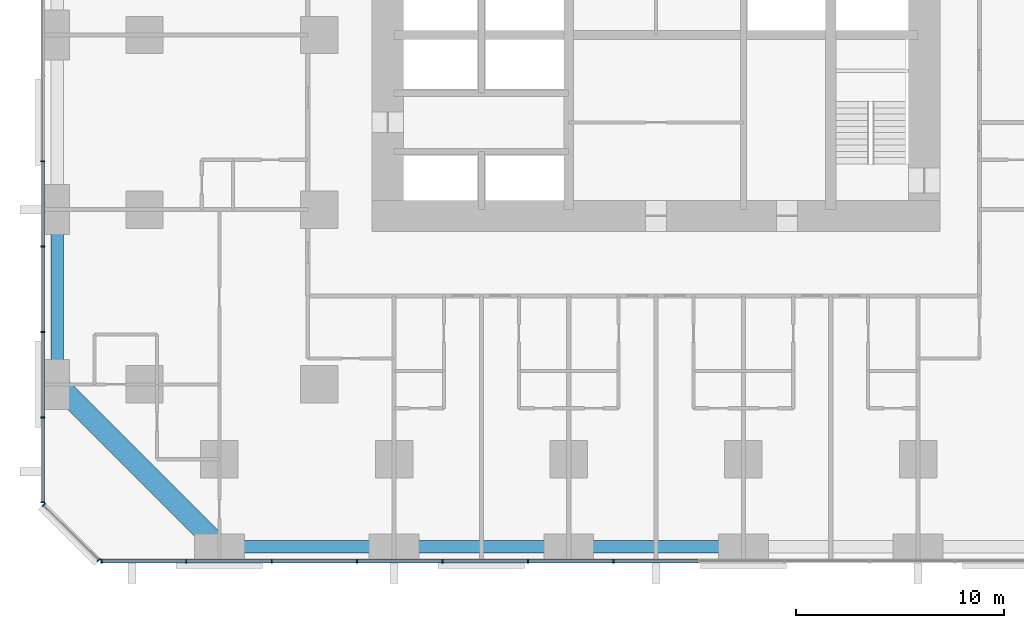
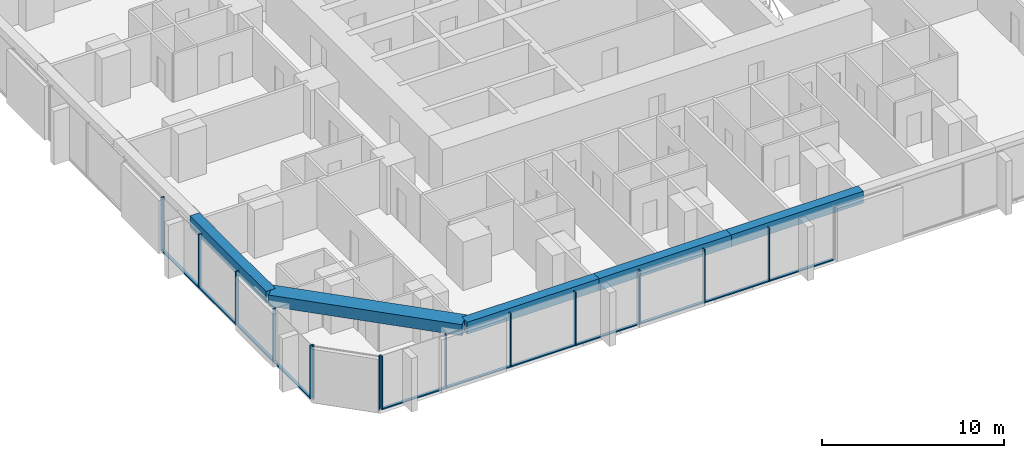
# One storey, part 2 of 17: 25 members, 5 beams, 3 elements without a shape of their own.
"""IFC4 building model written with IfcOpenShell, lengths in metres."""

from ifc_helpers import new_model, si_unit, direction, frame, origin, origin_2d, place, context, subcontext, project, spatial, rectangle, extrude, material, material_profile, profile_set, type_object, element, aggregate, save


model = new_model("IFC4")

# Units and contexts
model_context = context("Model", 3, precision=1e-05, world=origin(), true_north=direction((0.0, 1.0)))
body_context = subcontext(model_context, "Body", "Model", "MODEL_VIEW")
ifc_project = project(units=[si_unit("LENGTHUNIT", "METRE"), si_unit("AREAUNIT", "SQUARE_METRE"), si_unit("VOLUMEUNIT", "CUBIC_METRE"), si_unit("PLANEANGLEUNIT", "RADIAN"), si_unit("MASSUNIT", "GRAM", prefix="KILO")], contexts=[model_context])

# Site, building, storey
site_placement = place(None, origin())
site = spatial("IfcSite", under=ifc_project, at=site_placement, CompositionType="ELEMENT")
building_placement = place(site_placement, origin())
building = spatial("IfcBuilding", under=site, at=building_placement, Name="Dunama Terrace Hotel", CompositionType="ELEMENT")
storey_placement = place(building_placement, frame((0.0, 0.0, 77.39990234375)))
storey = spatial("IfcBuildingStorey", under=building, at=storey_placement, Name="L19", CompositionType="ELEMENT", Elevation=77.39990234375)

# Curtain wall, members
ifc_material_1 = material(Name="Aluminium curtain wall system", Category="aluminium")
curtain_wall_type = type_object("IfcCurtainWallType", Name="Unitised fritted glass wall CW-A", PredefinedType="NOTDEFINED", material=ifc_material_1)
curtain_wall_1_placement = place(storey_placement, origin())
curtain_wall_1 = element("IfcCurtainWall", 1, at=curtain_wall_1_placement, inside=storey, type_object=curtain_wall_type, Name="Unitised fritted glass wall CW-A L19", PredefinedType="NOTDEFINED")
ifc_material_2 = material(Name="Aluminium mullion", Category="aluminium")
ifc_material_profile_1 = material_profile(ifc_material_2, rectangle(XDim=0.06494140625, YDim=0.199951171875, at=origin_2d()), Name="CWA MULLION 65X200")
ifc_profile_set_1 = profile_set([ifc_material_profile_1], Name="Aluminium mullion")
member_type_1 = type_object("IfcMemberType", Name="CWA mullion 65x200", PredefinedType="MULLION", material=ifc_profile_set_1)
member_1_placement = place(storey_placement, frame((2.73291015625, -0.10009765625, 0.0), z_axis=(0.0, 0.0, 1.0), x_axis=(1.0, 0.0, 0.0)))
member_1 = element("IfcMember", 2, at=member_1_placement, type_object=member_type_1, Name="CWA mullion", PredefinedType="MULLION", context=body_context, shape_type="SweptSolid", body=[
    extrude(rectangle(XDim=0.06494140625, YDim=0.199951171875, at=origin_2d()), origin(), (0.0, 0.0, 1.0), 3.60009765625),
])
member_2_placement = place(storey_placement, frame((6.80810546875, -0.10009765625, 0.0), z_axis=(0.0, 0.0, 1.0), x_axis=(1.0, 0.0, 0.0)))
member_2 = element("IfcMember", 3, at=member_2_placement, type_object=member_type_1, Name="CWA mullion", PredefinedType="MULLION", context=body_context, shape_type="SweptSolid", body=[
    extrude(rectangle(XDim=0.06494140625, YDim=0.199951171875, at=origin_2d()), origin(), (0.0, 0.0, 1.0), 3.60009765625),
])
member_3_placement = place(storey_placement, frame((10.9150390625, -0.10009765625, 0.0), z_axis=(0.0, 0.0, 1.0), x_axis=(1.0, 0.0, 0.0)))
member_3 = element("IfcMember", 4, at=member_3_placement, type_object=member_type_1, Name="CWA mullion", PredefinedType="MULLION", context=body_context, shape_type="SweptSolid", body=[
    extrude(rectangle(XDim=0.06494140625, YDim=0.199951171875, at=origin_2d()), origin(), (0.0, 0.0, 1.0), 3.60009765625),
])
member_4_placement = place(storey_placement, frame((15.02294921875, -0.10009765625, 0.0), z_axis=(0.0, 0.0, 1.0), x_axis=(1.0, 0.0, 0.0)))
member_4 = element("IfcMember", 5, at=member_4_placement, type_object=member_type_1, Name="CWA mullion", PredefinedType="MULLION", context=body_context, shape_type="SweptSolid", body=[
    extrude(rectangle(XDim=0.06494140625, YDim=0.199951171875, at=origin_2d()), origin(), (0.0, 0.0, 1.0), 3.60009765625),
])
member_5_placement = place(storey_placement, frame((19.131103515625, -0.10009765625, 0.0), z_axis=(0.0, 0.0, 1.0), x_axis=(1.0, 0.0, 0.0)))
member_5 = element("IfcMember", 6, at=member_5_placement, type_object=member_type_1, Name="CWA mullion", PredefinedType="MULLION", context=body_context, shape_type="SweptSolid", body=[
    extrude(rectangle(XDim=0.06494140625, YDim=0.199951171875, at=origin_2d()), origin(), (0.0, 0.0, 1.0), 3.60009765625),
])
member_6_placement = place(storey_placement, frame((23.238037109375, -0.10009765625, 0.0), z_axis=(0.0, 0.0, 1.0), x_axis=(1.0, 0.0, 0.0)))
member_6 = element("IfcMember", 7, at=member_6_placement, type_object=member_type_1, Name="CWA mullion", PredefinedType="MULLION", context=body_context, shape_type="SweptSolid", body=[
    extrude(rectangle(XDim=0.06494140625, YDim=0.199951171875, at=origin_2d()), origin(), (0.0, 0.0, 1.0), 3.60009765625),
])
member_7_placement = place(storey_placement, frame((27.345947265625, -0.10009765625, 0.0), z_axis=(0.0, 0.0, 1.0), x_axis=(1.0, 0.0, 0.0)))
member_7 = element("IfcMember", 8, at=member_7_placement, type_object=member_type_1, Name="CWA mullion", PredefinedType="MULLION", context=body_context, shape_type="SweptSolid", body=[
    extrude(rectangle(XDim=0.06494140625, YDim=0.199951171875, at=origin_2d()), origin(), (0.0, 0.0, 1.0), 3.60009765625),
])

curtain_wall_2_placement = place(storey_placement, origin())
curtain_wall_2 = element("IfcCurtainWall", 9, at=curtain_wall_2_placement, inside=storey, type_object=curtain_wall_type, Name="Unitised fritted glass wall CW-A L19", PredefinedType="NOTDEFINED")
member_8_placement = place(storey_placement, frame((-0.10009765625, 19.131103515625, 0.0), z_axis=(0.0, 0.0, 1.0), x_axis=(0.0, -1.0, 0.0)))
member_8 = element("IfcMember", 10, at=member_8_placement, type_object=member_type_1, Name="CWA mullion", PredefinedType="MULLION", context=body_context, shape_type="SweptSolid", body=[
    extrude(rectangle(XDim=0.06494140625, YDim=0.199951171875, at=origin_2d()), origin(), (0.0, 0.0, 1.0), 3.60009765625),
])
member_9_placement = place(storey_placement, frame((-0.10009765625, 15.02294921875, 0.0), z_axis=(0.0, 0.0, 1.0), x_axis=(0.0, -1.0, 0.0)))
member_9 = element("IfcMember", 11, at=member_9_placement, type_object=member_type_1, Name="CWA mullion", PredefinedType="MULLION", context=body_context, shape_type="SweptSolid", body=[
    extrude(rectangle(XDim=0.06494140625, YDim=0.199951171875, at=origin_2d()), origin(), (0.0, 0.0, 1.0), 3.60009765625),
])
member_10_placement = place(storey_placement, frame((-0.10009765625, 10.9150390625, 0.0), z_axis=(0.0, 0.0, 1.0), x_axis=(0.0, -1.0, 0.0)))
member_10 = element("IfcMember", 12, at=member_10_placement, type_object=member_type_1, Name="CWA mullion", PredefinedType="MULLION", context=body_context, shape_type="SweptSolid", body=[
    extrude(rectangle(XDim=0.06494140625, YDim=0.199951171875, at=origin_2d()), origin(), (0.0, 0.0, 1.0), 3.60009765625),
])
member_11_placement = place(storey_placement, frame((-0.10009765625, 6.80810546875, 0.0), z_axis=(0.0, 0.0, 1.0), x_axis=(0.0, -1.0, 0.0)))
member_11 = element("IfcMember", 13, at=member_11_placement, type_object=member_type_1, Name="CWA mullion", PredefinedType="MULLION", context=body_context, shape_type="SweptSolid", body=[
    extrude(rectangle(XDim=0.06494140625, YDim=0.199951171875, at=origin_2d()), origin(), (0.0, 0.0, 1.0), 3.60009765625),
])
member_12_placement = place(storey_placement, frame((-0.10009765625, 2.73291015625, 0.0), z_axis=(0.0, 0.0, 1.0), x_axis=(0.0, -1.0, 0.0)))
member_12 = element("IfcMember", 14, at=member_12_placement, type_object=member_type_1, Name="CWA mullion", PredefinedType="MULLION", context=body_context, shape_type="SweptSolid", body=[
    extrude(rectangle(XDim=0.06494140625, YDim=0.199951171875, at=origin_2d()), origin(), (0.0, 0.0, 1.0), 3.60009765625),
])

curtain_wall_3_placement = place(storey_placement, origin())
curtain_wall_3 = element("IfcCurtainWall", 15, at=curtain_wall_3_placement, inside=storey, type_object=curtain_wall_type, Name="Unitised fritted glass wall CW-A L19", PredefinedType="NOTDEFINED")
member_13_placement = place(storey_placement, frame((-0.048095703125, 2.60595703125, 0.0), z_axis=(0.0, 0.0, 1.0), x_axis=(0.707106781187, -0.707106781187, 0.0)))
member_13 = element("IfcMember", 16, at=member_13_placement, type_object=member_type_1, Name="CWA mullion", PredefinedType="MULLION", context=body_context, shape_type="SweptSolid", body=[
    extrude(rectangle(XDim=0.06494140625, YDim=0.199951171875, at=origin_2d()), origin(), (0.0, 0.0, 1.0), 3.60009765625),
])
member_14_placement = place(storey_placement, frame((2.60595703125, -0.048095703125, 0.0), z_axis=(0.0, 0.0, 1.0), x_axis=(0.707106781187, -0.707106781187, 0.0)))
member_14 = element("IfcMember", 17, at=member_14_placement, type_object=member_type_1, Name="CWA mullion", PredefinedType="MULLION", context=body_context, shape_type="SweptSolid", body=[
    extrude(rectangle(XDim=0.06494140625, YDim=0.199951171875, at=origin_2d()), origin(), (0.0, 0.0, 1.0), 3.60009765625),
])
aggregate(curtain_wall_3, [member_13, member_14])

# Member
ifc_material_3 = material(Name="Aluminium transom", Category="aluminium")
ifc_material_profile_2 = material_profile(ifc_material_3, rectangle(XDim=0.179931640625, YDim=0.074951171875, at=origin_2d()), Name="CWA TRANSOM 180X75")
ifc_profile_set_2 = profile_set([ifc_material_profile_2], Name="Aluminium transom")
member_type_2 = type_object("IfcMemberType", Name="CWA transom 180x75", PredefinedType="USERDEFINED", material=ifc_profile_set_2)
member_15_placement = place(storey_placement, frame((2.764892578125, -0.10009765625, 0.03759765625), z_axis=(1.0, 0.0, 0.0), x_axis=(0.0, 1.0, 0.0)))
member_15 = element("IfcMember", 18, at=member_15_placement, type_object=member_type_2, Name="CWA transom", ObjectType="TRANSOM", PredefinedType="USERDEFINED", context=body_context, shape_type="SweptSolid", body=[
    extrude(rectangle(XDim=0.179931640625, YDim=0.074951171875, at=origin_2d()), origin(), (0.0, 0.0, 1.0), 4.010009765625),
])

member_16_placement = place(storey_placement, frame((6.840087890625, -0.10009765625, 0.03759765625), z_axis=(1.0, 0.0, 0.0), x_axis=(0.0, 1.0, 0.0)))
member_16 = element("IfcMember", 19, at=member_16_placement, type_object=member_type_2, Name="CWA transom", ObjectType="TRANSOM", PredefinedType="USERDEFINED", context=body_context, shape_type="SweptSolid", body=[
    extrude(rectangle(XDim=0.179931640625, YDim=0.074951171875, at=origin_2d()), origin(), (0.0, 0.0, 1.0), 4.04296875),
])

member_17_placement = place(storey_placement, frame((10.947998046875, -0.10009765625, 0.03759765625), z_axis=(1.0, 0.0, 0.0), x_axis=(0.0, 1.0, 0.0)))
member_17 = element("IfcMember", 20, at=member_17_placement, type_object=member_type_2, Name="CWA transom", ObjectType="TRANSOM", PredefinedType="USERDEFINED", context=body_context, shape_type="SweptSolid", body=[
    extrude(rectangle(XDim=0.179931640625, YDim=0.074951171875, at=origin_2d()), origin(), (0.0, 0.0, 1.0), 4.04296875),
])

member_18_placement = place(storey_placement, frame((15.055908203125, -0.10009765625, 0.03759765625), z_axis=(1.0, 0.0, 0.0), x_axis=(0.0, 1.0, 0.0)))
member_18 = element("IfcMember", 21, at=member_18_placement, type_object=member_type_2, Name="CWA transom", ObjectType="TRANSOM", PredefinedType="USERDEFINED", context=body_context, shape_type="SweptSolid", body=[
    extrude(rectangle(XDim=0.179931640625, YDim=0.074951171875, at=origin_2d()), origin(), (0.0, 0.0, 1.0), 4.0419921875),
])

member_19_placement = place(storey_placement, frame((19.1630859375, -0.10009765625, 0.03759765625), z_axis=(1.0, 0.0, 0.0), x_axis=(0.0, 1.0, 0.0)))
member_19 = element("IfcMember", 22, at=member_19_placement, type_object=member_type_2, Name="CWA transom", ObjectType="TRANSOM", PredefinedType="USERDEFINED", context=body_context, shape_type="SweptSolid", body=[
    extrude(rectangle(XDim=0.179931640625, YDim=0.074951171875, at=origin_2d()), origin(), (0.0, 0.0, 1.0), 4.04296875),
])

member_20_placement = place(storey_placement, frame((23.27099609375, -0.10009765625, 0.03759765625), z_axis=(1.0, 0.0, 0.0), x_axis=(0.0, 1.0, 0.0)))
member_20 = element("IfcMember", 23, at=member_20_placement, type_object=member_type_2, Name="CWA transom", ObjectType="TRANSOM", PredefinedType="USERDEFINED", context=body_context, shape_type="SweptSolid", body=[
    extrude(rectangle(XDim=0.179931640625, YDim=0.074951171875, at=origin_2d()), origin(), (0.0, 0.0, 1.0), 4.04296875),
])

member_21_placement = place(storey_placement, frame((27.37890625, -0.10009765625, 0.03759765625), z_axis=(1.0, 0.0, 0.0), x_axis=(0.0, 1.0, 0.0)))
member_21 = element("IfcMember", 24, at=member_21_placement, type_object=member_type_2, Name="CWA transom", ObjectType="TRANSOM", PredefinedType="USERDEFINED", context=body_context, shape_type="SweptSolid", body=[
    extrude(rectangle(XDim=0.179931640625, YDim=0.074951171875, at=origin_2d()), origin(), (0.0, 0.0, 1.0), 4.0419921875),
])

aggregate(curtain_wall_1, [member_1, member_2, member_3, member_4, member_5, member_6, member_7, member_15, member_16, member_17, member_18, member_19, member_20, member_21])

member_22_placement = place(storey_placement, frame((-0.10009765625, 19.097900390625, 0.03759765625), z_axis=(0.0, -1.0, 0.0), x_axis=(1.0, 0.0, 0.0)))
member_22 = element("IfcMember", 25, at=member_22_placement, type_object=member_type_2, Name="CWA transom", ObjectType="TRANSOM", PredefinedType="USERDEFINED", context=body_context, shape_type="SweptSolid", body=[
    extrude(rectangle(XDim=0.179931640625, YDim=0.074951171875, at=origin_2d()), origin(), (0.0, 0.0, 1.0), 4.0419921875),
])

member_23_placement = place(storey_placement, frame((-0.10009765625, 14.990966796875, 0.03759765625), z_axis=(0.0, -1.0, 0.0), x_axis=(1.0, 0.0, 0.0)))
member_23 = element("IfcMember", 26, at=member_23_placement, type_object=member_type_2, Name="CWA transom", ObjectType="TRANSOM", PredefinedType="USERDEFINED", context=body_context, shape_type="SweptSolid", body=[
    extrude(rectangle(XDim=0.179931640625, YDim=0.074951171875, at=origin_2d()), origin(), (0.0, 0.0, 1.0), 4.04296875),
])

member_24_placement = place(storey_placement, frame((-0.10009765625, 10.883056640625, 0.03759765625), z_axis=(0.0, -1.0, 0.0), x_axis=(1.0, 0.0, 0.0)))
member_24 = element("IfcMember", 27, at=member_24_placement, type_object=member_type_2, Name="CWA transom", ObjectType="TRANSOM", PredefinedType="USERDEFINED", context=body_context, shape_type="SweptSolid", body=[
    extrude(rectangle(XDim=0.179931640625, YDim=0.074951171875, at=origin_2d()), origin(), (0.0, 0.0, 1.0), 4.04296875),
])

member_25_placement = place(storey_placement, frame((-0.10009765625, 6.77490234375, 0.03759765625), z_axis=(0.0, -1.0, 0.0), x_axis=(1.0, 0.0, 0.0)))
member_25 = element("IfcMember", 28, at=member_25_placement, type_object=member_type_2, Name="CWA transom", ObjectType="TRANSOM", PredefinedType="USERDEFINED", context=body_context, shape_type="SweptSolid", body=[
    extrude(rectangle(XDim=0.179931640625, YDim=0.074951171875, at=origin_2d()), origin(), (0.0, 0.0, 1.0), 4.010009765625),
])

aggregate(curtain_wall_2, [member_8, member_9, member_10, member_11, member_12, member_22, member_23, member_24, member_25])

# Beams
ifc_material_4 = material(Name="Concrete C50/60", Category="concrete")
ifc_material_profile_3 = material_profile(ifc_material_4, rectangle(XDim=1.0, YDim=0.75, at=origin_2d()), Name="RC 1000x750")
ifc_profile_set_3 = profile_set([ifc_material_profile_3], Name="Concrete C50/60")
beam_type_1 = type_object("IfcBeamType", Name="Edge beam RC 1000x750", PredefinedType="SPANDREL", material=ifc_profile_set_3)
beam_1_placement = place(storey_placement, frame((8.39990234375, 0.60009765625, 3.22509765625), z_axis=(-0.707106781187, 0.707106781187, 0.0), x_axis=(-0.707106781187, -0.707106781187, 0.0)))
element("IfcBeam", 29, at=beam_1_placement, inside=storey, type_object=beam_type_1, Name="Corner edge beam under L20", PredefinedType="SPANDREL", context=body_context, shape_type="SweptSolid", body=[
    extrude(rectangle(XDim=1.0, YDim=0.75, at=origin_2d()), origin(), (0.0, 0.0, 1.0), 11.030517578125),
])
ifc_material_5 = material(Name="Concrete C40/50", Category="concrete")
ifc_material_profile_4 = material_profile(ifc_material_5, rectangle(XDim=0.60009765625, YDim=0.800048828125, at=origin_2d()), Name="RC 600x800")
ifc_profile_set_4 = profile_set([ifc_material_profile_4], Name="Concrete C40/50")
beam_type_2 = type_object("IfcBeamType", Name="Edge beam RC 600x800", PredefinedType="SPANDREL", material=ifc_profile_set_4)
for number, where, z_axis, x_axis, name in (
    (30, (0.60009765625, 8.39990234375, 3.2001953125), (0.0, 1.0, 0.0), (-1.0, 0.0, 0.0), "Edge beam under L20"),
    (31, (8.39990234375, 0.60009765625, 3.2001953125), (1.0, 0.0, 0.0), (0.0, 1.0, 0.0), "Edge beam under L20"),
):
    element("IfcBeam", number, at=place(storey_placement, frame(where, z_axis=z_axis, x_axis=x_axis)), inside=storey, type_object=beam_type_2, Name=name, PredefinedType="SPANDREL", context=body_context, shape_type="SweptSolid", body=[
        extrude(rectangle(XDim=0.60009765625, YDim=0.800048828125, at=origin_2d()), origin(), (0.0, 0.0, 1.0), 8.400146484375),
    ])
beam_2_placement = place(storey_placement, frame((16.800048828125, 0.60009765625, 3.2001953125), z_axis=(1.0, 0.0, 0.0), x_axis=(0.0, 1.0, 0.0)))
element("IfcBeam", 32, at=beam_2_placement, inside=storey, type_object=beam_type_2, Name="Edge beam under L20", PredefinedType="SPANDREL", context=body_context, shape_type="SweptSolid", body=[
    extrude(rectangle(XDim=0.60009765625, YDim=0.800048828125, at=origin_2d()), origin(), (0.0, 0.0, 1.0), 8.39990234375),
])
beam_3_placement = place(storey_placement, frame((25.199951171875, 0.60009765625, 3.2001953125), z_axis=(1.0, 0.0, 0.0), x_axis=(0.0, 1.0, 0.0)))
element("IfcBeam", 33, at=beam_3_placement, inside=storey, type_object=beam_type_2, Name="Edge beam under L20", PredefinedType="SPANDREL", context=body_context, shape_type="SweptSolid", body=[
    extrude(rectangle(XDim=0.60009765625, YDim=0.800048828125, at=origin_2d()), origin(), (0.0, 0.0, 1.0), 8.400146484375),
])

save(model, "model.ifc")
